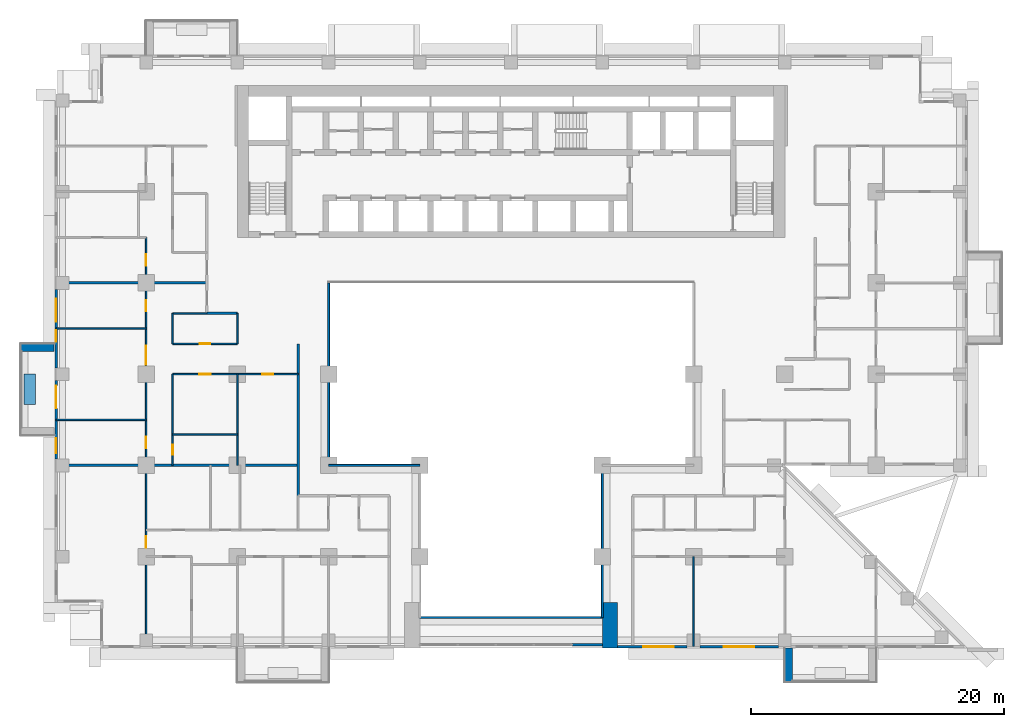
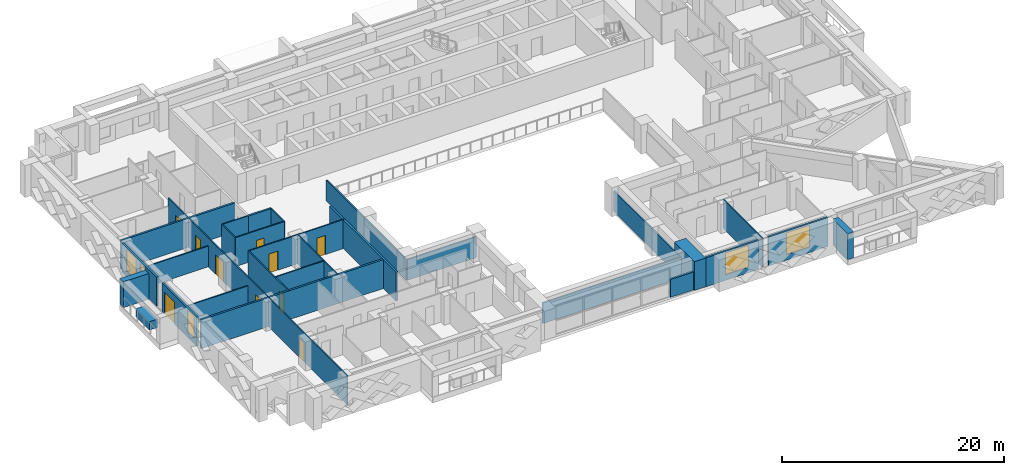
# One storey, part 7 of 16: 29 walls, 10 doors, 5 windows, 15 openings.
"""IFC4 building model written with IfcOpenShell, lengths in metres."""

import ifcopenshell
import ifcopenshell.guid

model = None  # the IFC model being written
_history = None  # IfcOwnerHistory: only IFC2X3 demands one
_inside = {}  # id of a spatial element -> (the spatial element, [elements in it])
_under = {}  # id of a project, library or spatial element -> (it, [spatial elements below it])
_declared = {}  # id of a project -> (the project, [libraries it declares])
_typed = {}  # id of a type object -> (the type object, [elements of that type])
_made_of = {}  # id of a material, layer set ... -> (it, [elements and type objects made of it])


def new_model(schema):
    """Start an empty IFC model of exactly this schema.

    Asked for "IFC4X3", IfcOpenShell would pick the latest addendum, in which some entities
    have other attributes; the version numbers below select the first issue.
    IFC2X3 requires an IfcOwnerHistory on every rooted entity: one is made here for all.
    """
    global model, _history
    if schema == "IFC4X3":
        model = ifcopenshell.file(schema_version=(4, 3, 0, 0))
    else:
        model = ifcopenshell.file(schema=schema)
    _inside.clear()
    _under.clear()
    _declared.clear()
    _typed.clear()
    _made_of.clear()
    _history = None
    if model.schema == "IFC2X3":
        org = make("IfcOrganization", Name="unknown")
        user = make(
            "IfcPersonAndOrganization",
            ThePerson=make("IfcPerson", FamilyName="unknown"),
            TheOrganization=org,
        )
        app = make(
            "IfcApplication",
            ApplicationDeveloper=org,
            Version="unknown",
            ApplicationFullName="unknown",
            ApplicationIdentifier="unknown",
        )
        _history = make(
            "IfcOwnerHistory",
            OwningUser=user,
            OwningApplication=app,
            ChangeAction="ADDED",
            CreationDate=0,
        )
    return model


def make(cls, **values):
    """One entity of the class cls with the attributes given. An attribute that is None is left unset."""
    return model.create_entity(
        cls, **{name: value for name, value in values.items() if value is not None}
    )


def rooted(cls, **values):
    """An entity with a GlobalId (a new one), such as an element, a storey or a relation."""
    return make(cls, GlobalId=ifcopenshell.guid.new(), OwnerHistory=_history, **values)


def si_unit(unit_type, name, prefix=None):
    """IfcSIUnit, for example si_unit("LENGTHUNIT", "METRE", prefix="MILLI")."""
    return make("IfcSIUnit", UnitType=unit_type, Prefix=prefix, Name=name)


def assignment(units):
    """IfcUnitAssignment: the units of a project."""
    return None if units is None else make("IfcUnitAssignment", Units=units)


def point(xyz):
    """IfcCartesianPoint."""
    return None if xyz is None else make("IfcCartesianPoint", Coordinates=xyz)


def direction(xyz):
    """IfcDirection."""
    return None if xyz is None else make("IfcDirection", DirectionRatios=xyz)


def frame(location, z_axis=None, x_axis=None):
    """IfcAxis2Placement3D, a coordinate frame: its origin and axes. An axis left out is left unset."""
    return make(
        "IfcAxis2Placement3D",
        Location=point(location),
        Axis=direction(z_axis),
        RefDirection=direction(x_axis),
    )


def frame_2d(location, x_axis=None):
    """IfcAxis2Placement2D, a coordinate frame in the plane: its origin and x axis."""
    return make(
        "IfcAxis2Placement2D", Location=point(location), RefDirection=direction(x_axis)
    )


def origin():
    """The frame at (0, 0, 0) with its axes left unset."""
    return frame((0.0, 0.0, 0.0))


def place(relative_to, where):
    """IfcLocalPlacement: puts the frame where relative to a parent placement (None: the world)."""
    return make(
        "IfcLocalPlacement", PlacementRelTo=relative_to, RelativePlacement=where
    )


def context(
    kind, dimensions, precision=None, world=None, true_north=None, identifier=None
):
    """IfcGeometricRepresentationContext, for example the 3D "Model" context."""
    return make(
        "IfcGeometricRepresentationContext",
        ContextIdentifier=identifier,
        ContextType=kind,
        CoordinateSpaceDimension=dimensions,
        Precision=precision,
        WorldCoordinateSystem=world,
        TrueNorth=true_north,
    )


def subcontext(parent, identifier, kind, view, scale=None):
    """IfcGeometricRepresentationSubContext, for example "Body" below "Model"."""
    return make(
        "IfcGeometricRepresentationSubContext",
        ContextIdentifier=identifier,
        ContextType=kind,
        ParentContext=parent,
        TargetScale=scale,
        TargetView=view,
    )


def project(units=None, contexts=None):
    """IfcProject with its units and contexts."""
    return rooted(
        "IfcProject",
        Name="project",
        RepresentationContexts=contexts,
        UnitsInContext=assignment(units),
    )


def spatial(cls, under=None, at=None, **own):
    """A site, building, storey or space (cls), placed at a placement, below another one or the project."""
    s = rooted(cls, ObjectPlacement=at, **own)
    if under is not None:
        _under.setdefault(under.id(), (under, []))[1].append(s)
    return s


def profile(cls, at=None, kind="AREA", **sizes):
    """A parametric profile (cls). Its sizes go by their IFC names, for example OverallWidth=200.0."""
    return make(cls, ProfileType=kind, Position=at, **sizes)


def rectangle(**sizes):
    """IfcRectangleProfileDef."""
    return profile("IfcRectangleProfileDef", **sizes)


def extrude(swept, where, along, depth):
    """IfcExtrudedAreaSolid: the profile swept, set in the frame where, extruded along a direction by depth."""
    return make(
        "IfcExtrudedAreaSolid",
        SweptArea=swept,
        Position=where,
        ExtrudedDirection=direction(along),
        Depth=depth,
    )


def shape(context_of_items, identifier, shape_type, items):
    """IfcShapeRepresentation: the items that make up one representation, for example the "Body"."""
    return make(
        "IfcShapeRepresentation",
        ContextOfItems=context_of_items,
        RepresentationIdentifier=identifier,
        RepresentationType=shape_type,
        Items=items,
    )


def material(Name=None, Category=None):
    """IfcMaterial."""
    return make("IfcMaterial", Name=Name, Category=Category)


def layer(
    of_material, thickness, ventilated=None, Name=None, Category=None, Priority=None
):
    """IfcMaterialLayer: one layer of a wall or slab, of a material (None: an air gap)."""
    return make(
        "IfcMaterialLayer",
        Material=of_material,
        LayerThickness=thickness,
        IsVentilated=ventilated,
        Name=Name,
        Category=Category,
        Priority=Priority,
    )


def layer_set(layers, Name=None):
    """IfcMaterialLayerSet."""
    return make("IfcMaterialLayerSet", MaterialLayers=layers, LayerSetName=Name)


def made_of(thing, what):
    """Note that an element or type object is made of a material, layer set ...; save() writes the relation."""
    if what is not None:
        _made_of.setdefault(what.id(), (what, []))[1].append(thing)
    return thing


def type_object(cls, material=None, **own):
    """A type object (cls), such as IfcWallType, which elements share."""
    return made_of(rooted(cls, **own), material)


def element(
    cls,
    number,
    at=None,
    inside=None,
    cuts=None,
    type_object=None,
    material=None,
    context=None,
    identifier="Body",
    shape_type=None,
    held_by="IfcProductDefinitionShape",
    body=None,
    shapes=None,
    **own,
):
    """One element of the class cls, such as IfcWall. Its Tag is "e" and its number.

    at: its placement. inside: the storey or other place that contains it. cuts: it is an
    opening in that element (IfcRelVoidsElement). A single representation is given by context,
    identifier, shape_type and body (its items); several are given by shapes. held_by: the class
    of the entity that holds the representations. save() writes the other relations.
    """
    e = rooted(cls, Tag="e%d" % number, ObjectPlacement=at, **own)
    if body is not None:
        shapes = [shape(context, identifier, shape_type, body)]
    if shapes is not None:
        e.Representation = make(held_by, Representations=shapes)
    if inside is not None:
        _inside.setdefault(inside.id(), (inside, []))[1].append(e)
    if cuts is not None:
        rooted(
            "IfcRelVoidsElement", RelatingBuildingElement=cuts, RelatedOpeningElement=e
        )
    if type_object is not None:
        _typed.setdefault(type_object.id(), (type_object, []))[1].append(e)
    return made_of(e, material)


def fill(opening, filler):
    """IfcRelFillsElement: the door or window that sits in an opening."""
    return rooted(
        "IfcRelFillsElement",
        RelatingOpeningElement=opening,
        RelatedBuildingElement=filler,
    )


def aggregate(whole, parts):
    """IfcRelAggregates: a whole, such as a stair, and the parts it consists of."""
    return rooted("IfcRelAggregates", RelatingObject=whole, RelatedObjects=parts)


def save(model, path):
    """Write the relations noted so far, then the file.

    IfcRelAggregates (storeys below a building ...), IfcRelContainedInSpatialStructure (elements
    in a storey), IfcRelDefinesByType, IfcRelAssociatesMaterial and IfcRelDeclares: one each for
    every whole, place, type object, material and project.
    """
    for whole, parts in _under.values():
        aggregate(whole, parts)
    for where, things in _inside.values():
        rooted(
            "IfcRelContainedInSpatialStructure",
            RelatedElements=things,
            RelatingStructure=where,
        )
    for kind, things in _typed.values():
        rooted("IfcRelDefinesByType", RelatedObjects=things, RelatingType=kind)
    for what, things in _made_of.values():
        rooted("IfcRelAssociatesMaterial", RelatedObjects=things, RelatingMaterial=what)
    for by, libraries in _declared.values():
        rooted("IfcRelDeclares", RelatingContext=by, RelatedDefinitions=libraries)
    model.write(path)


model = new_model("IFC4")

# Units and contexts
model_context = context("Model", 3, precision=1e-05, world=origin(), true_north=direction((0.0, 1.0)))
body_context = subcontext(model_context, "Body", "Model", "MODEL_VIEW")
ifc_project = project(units=[si_unit("LENGTHUNIT", "METRE"), si_unit("AREAUNIT", "SQUARE_METRE"), si_unit("VOLUMEUNIT", "CUBIC_METRE"), si_unit("PLANEANGLEUNIT", "RADIAN"), si_unit("MASSUNIT", "GRAM", prefix="KILO")], contexts=[model_context])

# Site, building, storey
site_placement = place(None, origin())
site = spatial("IfcSite", under=ifc_project, at=site_placement, CompositionType="ELEMENT")
building_placement = place(site_placement, origin())
building = spatial("IfcBuilding", under=site, at=building_placement, Name="Saffron Iwan Residences", CompositionType="ELEMENT")
storey_placement = place(building_placement, frame((0.0, 0.0, 83.0)))
storey = spatial("IfcBuildingStorey", under=building, at=storey_placement, Name="L21", CompositionType="ELEMENT", Elevation=83.0)

# Walls
ifc_material_1 = material(Name="Fire-rated glazing", Category="glass")
ifc_layer_1 = layer(ifc_material_1, 0.14990234375)
ifc_layer_set_1 = layer_set([ifc_layer_1], Name="Fire-rated glazing")
wall_type_1 = type_object("IfcWallType", Name="Atrium glazed screen 150", PredefinedType="SOLIDWALL", material=ifc_layer_set_1)
wall_1_placement = place(storey_placement, frame((43.199951171875, 36.0, 0.0), z_axis=(0.0, 0.0, 1.0), x_axis=(1.0, 0.0, 0.0)))
element("IfcWall", 1, at=wall_1_placement, inside=storey, type_object=wall_type_1, Name="W-L21-SCREEN-h36-43.2", PredefinedType="SOLIDWALL", context=body_context, shape_type="SweptSolid", body=[
    extrude(rectangle(XDim=14.400146484375, YDim=0.14990234375, at=frame_2d((7.2001953125, 0.0))), origin(), (0.0, 0.0, 1.0), 2.280029296875),
])
wall_2_placement = place(storey_placement, frame((36.0, 48.0, 0.0), z_axis=(0.0, 0.0, 1.0), x_axis=(1.0, 0.0, 0.0)))
element("IfcWall", 2, at=wall_2_placement, inside=storey, type_object=wall_type_1, Name="W-L21-SCREEN-h48-36", PredefinedType="SOLIDWALL", context=body_context, shape_type="SweptSolid", body=[
    extrude(rectangle(XDim=7.199951171875, YDim=0.14990234375, at=frame_2d((3.60009765625, 0.0))), origin(), (0.0, 0.0, 1.0), 2.280029296875),
])
wall_3_placement = place(storey_placement, frame((36.0, 48.0, 0.0), z_axis=(0.0, 0.0, 1.0), x_axis=(0.0, 1.0, 0.0)))
element("IfcWall", 3, at=wall_3_placement, inside=storey, type_object=wall_type_1, Name="W-L21-SCREEN-v36-48", PredefinedType="SOLIDWALL", context=body_context, shape_type="SweptSolid", body=[
    extrude(rectangle(XDim=14.39990234375, YDim=0.14990234375, at=frame_2d((7.199951171875, 0.0))), origin(), (0.0, 0.0, 1.0), 2.280029296875),
])
wall_4_placement = place(storey_placement, frame((57.60009765625, 36.0, 0.0), z_axis=(0.0, 0.0, 1.0), x_axis=(0.0, 1.0, 0.0)))
element("IfcWall", 4, at=wall_4_placement, inside=storey, type_object=wall_type_1, Name="W-L21-SCREEN-v57.6-36", PredefinedType="SOLIDWALL", context=body_context, shape_type="SweptSolid", body=[
    extrude(rectangle(XDim=12.0, YDim=0.14990234375, at=frame_2d((6.0, 0.0))), origin(), (0.0, 0.0, 1.0), 2.280029296875),
])
ifc_material_2 = material(Name="Concrete C50/60 white painted", Category="concrete")
ifc_layer_2 = layer(ifc_material_2, 0.60009765625)
ifc_layer_set_2 = layer_set([ifc_layer_2], Name="Concrete C50/60 white painted")
wall_type_2 = type_object("IfcWallType", Name="BALCONY FIN 600", PredefinedType="SOLIDWALL", material=ifc_layer_set_2)
wall_5_placement = place(storey_placement, frame((14.35009765625, 57.300048828125, 0.0), z_axis=(0.0, 0.0, 1.0), x_axis=(-1.0, 0.0, 0.0)))
element("IfcWall", 5, at=wall_5_placement, inside=storey, type_object=wall_type_2, Name="Balcony fin L21 F8-1a", PredefinedType="SOLIDWALL", context=body_context, shape_type="SweptSolid", body=[
    extrude(rectangle(XDim=2.650146484375, YDim=0.60009765625, at=frame_2d((1.3251953125, 0.0))), origin(), (0.0, 0.0, 1.0), 2.85009765625),
])
wall_6_placement = place(storey_placement, frame((72.300048828125, 33.60009765625, 0.0), z_axis=(0.0, 0.0, 1.0), x_axis=(0.0, -1.0, 0.0)))
element("IfcWall", 6, at=wall_6_placement, inside=storey, type_object=wall_type_2, Name="Balcony fin L21 11-1a", PredefinedType="SOLIDWALL", context=body_context, shape_type="SweptSolid", body=[
    extrude(rectangle(XDim=2.7001953125, YDim=0.60009765625, at=frame_2d((1.35009765625, 0.0))), origin(), (0.0, 0.0, 1.0), 2.85009765625),
])
ifc_material_3 = material(Name="Concrete C35/45 white painted", Category="concrete")
ifc_layer_3 = layer(ifc_material_3, 0.14990234375)
ifc_layer_set_3 = layer_set([ifc_layer_3], Name="Concrete C35/45 white painted")
wall_type_3 = type_object("IfcWallType", Name="BALCONY PLANTER", PredefinedType="SOLIDWALL", material=ifc_layer_set_3)
wall_7_placement = place(storey_placement, frame((12.425048828125, 55.199951171875, 0.0), z_axis=(0.0, 0.0, 1.0), x_axis=(0.0, -1.0, 0.0)))
element("IfcWall", 7, at=wall_7_placement, inside=storey, type_object=wall_type_3, Name="PLANTER L21 F8-1", PredefinedType="SOLIDWALL", context=body_context, shape_type="SweptSolid", body=[
    extrude(rectangle(XDim=2.39990234375, YDim=0.89990234375, at=frame_2d((1.199951171875, 0.0))), origin(), (0.0, 0.0, 1.0), 0.89990234375),
])

# Wall, openings, windows
ifc_material_4 = material(Name="Concrete C40/50", Category="concrete")
ifc_layer_4 = layer(ifc_material_4, 0.199951171875)
ifc_layer_set_4 = layer_set([ifc_layer_4], Name="Concrete C40/50")
wall_type_4 = type_object("IfcWallType", Name="EXTERNAL WALL 200", PredefinedType="SOLIDWALL", material=ifc_layer_set_4)
wall_8_placement = place(storey_placement, frame((14.5, 61.89990234375, 0.0), z_axis=(0.0, 0.0, 1.0), x_axis=(0.0, -1.0, 0.0)))
wall_8 = element("IfcWall", 8, at=wall_8_placement, inside=storey, type_object=wall_type_4, Name="External wall L21 F8.2", PredefinedType="SOLIDWALL", context=body_context, shape_type="SweptSolid", body=[
    extrude(rectangle(XDim=6.199951171875, YDim=0.199951171875, at=frame_2d((3.10009765625, 0.0))), origin(), (0.0, 0.0, 1.0), 3.179931640625),
])
opening_1_placement = place(wall_8_placement, frame((3.25, 0.0, 0.60009765625)))
opening_1 = element("IfcOpeningElement", 9, at=opening_1_placement, cuts=wall_8, Name="Opening W10", PredefinedType="OPENING", context=body_context, shape_type="SweptSolid", body=[
    extrude(rectangle(XDim=0.89990234375, YDim=2.39990234375, at=frame_2d((0.449951171875, 1.199951171875))), frame((0.0, 0.10986328125, 0.0), z_axis=(0.0, -1.0, 0.0), x_axis=(1.0, 0.0, 0.0)), (0.0, 0.0, 1.0), 0.219970703125),
])
opening_2_placement = place(wall_8_placement, frame((0.75, 0.0, 0.60009765625)))
opening_2 = element("IfcOpeningElement", 10, at=opening_2_placement, cuts=wall_8, Name="Opening W8", PredefinedType="OPENING", context=body_context, shape_type="SweptSolid", body=[
    extrude(rectangle(XDim=1.800048828125, YDim=2.39990234375, at=frame_2d((0.89990234375, 1.199951171875))), frame((0.0, 0.10986328125, 0.0), z_axis=(0.0, -1.0, 0.0), x_axis=(1.0, 0.0, 0.0)), (0.0, 0.0, 1.0), 0.219970703125),
])
ifc_material_5 = material(Name="Clear glass, laminated double glazed", Category="glass")
window_type_1 = type_object("IfcWindowType", Name="WINDOW 1800 x 2400", PartitioningType="DOUBLE_PANEL_VERTICAL", PredefinedType="WINDOW", material=ifc_material_5)
window_1_placement = place(opening_2_placement, origin())
window_1 = element("IfcWindow", 11, at=window_1_placement, inside=storey, type_object=window_type_1, Name="Window L21 F8.1", OverallHeight=2.39990234375, OverallWidth=1.800048828125, PartitioningType="DOUBLE_PANEL_VERTICAL", PredefinedType="WINDOW", context=body_context, shape_type="SweptSolid", body=[
    extrude(rectangle(XDim=1.800048828125, YDim=2.39990234375, at=frame_2d((0.89990234375, 1.199951171875))), frame((0.0, 0.030029296875, 0.0), z_axis=(0.0, -1.0, 0.0), x_axis=(1.0, 0.0, 0.0)), (0.0, 0.0, 1.0), 0.06005859375),
])
fill(opening_2, window_1)
window_type_2 = type_object("IfcWindowType", Name="WINDOW 900 x 2400", PartitioningType="SINGLE_PANEL", PredefinedType="WINDOW", material=ifc_material_5)
window_2_placement = place(opening_1_placement, origin())
window_2 = element("IfcWindow", 12, at=window_2_placement, inside=storey, type_object=window_type_2, Name="Window L21 F8.0", OverallHeight=2.39990234375, OverallWidth=0.89990234375, PartitioningType="SINGLE_PANEL", PredefinedType="WINDOW", context=body_context, shape_type="SweptSolid", body=[
    extrude(rectangle(XDim=0.89990234375, YDim=2.39990234375, at=frame_2d((0.449951171875, 1.199951171875))), frame((0.0, 0.030029296875, 0.0), z_axis=(0.0, -1.0, 0.0), x_axis=(1.0, 0.0, 0.0)), (0.0, 0.0, 1.0), 0.06005859375),
])
fill(opening_1, window_2)

# Wall, openings, door, window
wall_9_placement = place(storey_placement, frame((14.5, 54.699951171875, 0.0), z_axis=(0.0, 0.0, 1.0), x_axis=(0.0, -1.0, 0.0)))
wall_9 = element("IfcWall", 13, at=wall_9_placement, inside=storey, type_object=wall_type_4, Name="External wall L21 F8.3", PredefinedType="SOLIDWALL", context=body_context, shape_type="SweptSolid", body=[
    extrude(rectangle(XDim=6.199951171875, YDim=0.199951171875, at=frame_2d((3.10009765625, 0.0))), origin(), (0.0, 0.0, 1.0), 3.179931640625),
])
opening_3_placement = place(wall_9_placement, frame((0.39990234375, 0.0, 0.0)))
opening_3 = element("IfcOpeningElement", 14, at=opening_3_placement, cuts=wall_9, Name="Opening BD1", PredefinedType="OPENING", context=body_context, shape_type="SweptSolid", body=[
    extrude(rectangle(XDim=1.800048828125, YDim=2.39990234375, at=frame_2d((0.89990234375, 1.199951171875))), frame((0.0, 0.10986328125, 0.0), z_axis=(0.0, -1.0, 0.0), x_axis=(1.0, 0.0, 0.0)), (0.0, 0.0, 1.0), 0.219970703125),
])
opening_4_placement = place(wall_9_placement, frame((4.550048828125, 0.0, 0.60009765625)))
opening_4 = element("IfcOpeningElement", 15, at=opening_4_placement, cuts=wall_9, Name="Opening W3", PredefinedType="OPENING", context=body_context, shape_type="SweptSolid", body=[
    extrude(rectangle(XDim=1.199951171875, YDim=2.39990234375, at=frame_2d((0.60009765625, 1.199951171875))), frame((0.0, 0.10986328125, 0.0), z_axis=(0.0, -1.0, 0.0), x_axis=(1.0, 0.0, 0.0)), (0.0, 0.0, 1.0), 0.219970703125),
])
door_type_1 = type_object("IfcDoorType", Name="BALCONY DOOR 1800 x 2400", OperationType="DOUBLE_DOOR_SLIDING", PredefinedType="DOOR", material=ifc_material_5)
door_1_placement = place(opening_3_placement, origin())
door_1 = element("IfcDoor", 16, at=door_1_placement, inside=storey, type_object=door_type_1, Name="Balcony door L21 F8.0", OperationType="DOUBLE_DOOR_SLIDING", OverallHeight=2.39990234375, OverallWidth=1.800048828125, PredefinedType="DOOR", context=body_context, shape_type="SweptSolid", body=[
    extrude(rectangle(XDim=1.800048828125, YDim=2.39990234375, at=frame_2d((0.89990234375, 1.199951171875))), frame((0.0, 0.02490234375, 0.0), z_axis=(0.0, -1.0, 0.0), x_axis=(1.0, 0.0, 0.0)), (0.0, 0.0, 1.0), 0.050048828125),
])
fill(opening_3, door_1)
window_type_3 = type_object("IfcWindowType", Name="WINDOW 1200 x 2400", PartitioningType="SINGLE_PANEL", PredefinedType="WINDOW", material=ifc_material_5)
window_3_placement = place(opening_4_placement, origin())
window_3 = element("IfcWindow", 17, at=window_3_placement, inside=storey, type_object=window_type_3, Name="Window L21 F8.1", OverallHeight=2.39990234375, OverallWidth=1.199951171875, PartitioningType="SINGLE_PANEL", PredefinedType="WINDOW", context=body_context, shape_type="SweptSolid", body=[
    extrude(rectangle(XDim=1.199951171875, YDim=2.39990234375, at=frame_2d((0.60009765625, 1.199951171875))), frame((0.0, 0.030029296875, 0.0), z_axis=(0.0, -1.0, 0.0), x_axis=(1.0, 0.0, 0.0)), (0.0, 0.0, 1.0), 0.06005859375),
])
fill(opening_4, window_3)

# Wall, opening, window
wall_10_placement = place(storey_placement, frame((58.800048828125, 33.699951171875, 0.0), z_axis=(0.0, 0.0, 1.0), x_axis=(1.0, 0.0, 0.0)))
wall_10 = element("IfcWall", 18, at=wall_10_placement, inside=storey, type_object=wall_type_4, Name="External wall L21 F11.4", PredefinedType="SOLIDWALL", context=body_context, shape_type="SweptSolid", body=[
    extrude(rectangle(XDim=5.5, YDim=0.199951171875, at=frame_2d((2.75, 0.0))), origin(), (0.0, 0.0, 1.0), 3.179931640625),
])
opening_5_placement = place(wall_10_placement, frame((2.050048828125, 0.0, 0.60009765625)))
opening_5 = element("IfcOpeningElement", 19, at=opening_5_placement, cuts=wall_10, Name="Opening W1", PredefinedType="OPENING", context=body_context, shape_type="SweptSolid", body=[
    extrude(rectangle(XDim=2.39990234375, YDim=2.39990234375, at=frame_2d((1.199951171875, 1.199951171875))), frame((0.0, 0.10986328125, 0.0), z_axis=(0.0, -1.0, 0.0), x_axis=(1.0, 0.0, 0.0)), (0.0, 0.0, 1.0), 0.219970703125),
])
window_type_4 = type_object("IfcWindowType", Name="WINDOW 2400 x 2400", PartitioningType="DOUBLE_PANEL_VERTICAL", PredefinedType="WINDOW", material=ifc_material_5)
window_4_placement = place(opening_5_placement, origin())
window_4 = element("IfcWindow", 20, at=window_4_placement, inside=storey, type_object=window_type_4, Name="Window L21 F11.0", OverallHeight=2.39990234375, OverallWidth=2.39990234375, PartitioningType="DOUBLE_PANEL_VERTICAL", PredefinedType="WINDOW", context=body_context, shape_type="SweptSolid", body=[
    extrude(rectangle(XDim=2.39990234375, YDim=2.39990234375, at=frame_2d((1.199951171875, 1.199951171875))), frame((0.0, 0.030029296875, 0.0), z_axis=(0.0, -1.0, 0.0), x_axis=(1.0, 0.0, 0.0)), (0.0, 0.0, 1.0), 0.06005859375),
])
fill(opening_5, window_4)

wall_11_placement = place(storey_placement, frame((65.300048828125, 33.699951171875, 0.0), z_axis=(0.0, 0.0, 1.0), x_axis=(1.0, 0.0, 0.0)))
wall_11 = element("IfcWall", 21, at=wall_11_placement, inside=storey, type_object=wall_type_4, Name="External wall L21 F11.5", PredefinedType="SOLIDWALL", context=body_context, shape_type="SweptSolid", body=[
    extrude(rectangle(XDim=6.199951171875, YDim=0.199951171875, at=frame_2d((3.10009765625, 0.0))), origin(), (0.0, 0.0, 1.0), 3.179931640625),
])
opening_6_placement = place(wall_11_placement, frame((1.89990234375, 0.0, 0.60009765625)))
opening_6 = element("IfcOpeningElement", 22, at=opening_6_placement, cuts=wall_11, Name="Opening W1", PredefinedType="OPENING", context=body_context, shape_type="SweptSolid", body=[
    extrude(rectangle(XDim=2.39990234375, YDim=2.39990234375, at=frame_2d((1.199951171875, 1.199951171875))), frame((0.0, 0.10986328125, 0.0), z_axis=(0.0, -1.0, 0.0), x_axis=(1.0, 0.0, 0.0)), (0.0, 0.0, 1.0), 0.219970703125),
])
window_5_placement = place(opening_6_placement, origin())
window_5 = element("IfcWindow", 23, at=window_5_placement, inside=storey, type_object=window_type_4, Name="Window L21 F11.0", OverallHeight=2.39990234375, OverallWidth=2.39990234375, PartitioningType="DOUBLE_PANEL_VERTICAL", PredefinedType="WINDOW", context=body_context, shape_type="SweptSolid", body=[
    extrude(rectangle(XDim=2.39990234375, YDim=2.39990234375, at=frame_2d((1.199951171875, 1.199951171875))), frame((0.0, 0.030029296875, 0.0), z_axis=(0.0, -1.0, 0.0), x_axis=(1.0, 0.0, 0.0)), (0.0, 0.0, 1.0), 0.06005859375),
])
fill(opening_6, window_5)

# Walls
wall_12_placement = place(storey_placement, frame((55.199951171875, 33.85009765625, 0.0), z_axis=(0.0, 0.0, 1.0), x_axis=(1.0, 0.0, 0.0)))
element("IfcWall", 24, at=wall_12_placement, inside=storey, type_object=wall_type_4, Name="External wall infill CWB-L21-0", PredefinedType="SOLIDWALL", context=body_context, shape_type="SweptSolid", body=[
    extrude(rectangle(XDim=2.400146484375, YDim=0.199951171875, at=frame_2d((1.2001953125, 0.0))), origin(), (0.0, 0.0, 1.0), 1.97998046875),
])
ifc_material_6 = material(Name="Fire-rated gypsum board wall")
ifc_layer_5 = layer(ifc_material_6, 0.199951171875)
ifc_layer_set_5 = layer_set([ifc_layer_5], Name="Fire-rated gypsum board wall")
wall_type_5 = type_object("IfcWallType", Name="Flat demising wall 200", PredefinedType="SOLIDWALL", material=ifc_layer_set_5)
wall_13_placement = place(storey_placement, frame((14.52490234375, 48.0, 0.0), z_axis=(0.0, 0.0, 1.0), x_axis=(1.0, 0.0, 0.0)))
element("IfcWall", 25, at=wall_13_placement, inside=storey, type_object=wall_type_5, Name="W-L21-DEMISE-h48-14.525", PredefinedType="SOLIDWALL", context=body_context, shape_type="SweptSolid", body=[
    extrude(rectangle(XDim=19.0751953125, YDim=0.199951171875, at=frame_2d((9.53759765625, 0.0))), origin(), (0.0, 0.0, 1.0), 3.179931640625),
])
wall_14_placement = place(storey_placement, frame((14.52490234375, 62.39990234375, 0.0), z_axis=(0.0, 0.0, 1.0), x_axis=(1.0, 0.0, 0.0)))
element("IfcWall", 26, at=wall_14_placement, inside=storey, type_object=wall_type_5, Name="W-L21-DEMISE-h62.4-14.525", PredefinedType="SOLIDWALL", context=body_context, shape_type="SweptSolid", body=[
    extrude(rectangle(XDim=11.875, YDim=0.199951171875, at=frame_2d((5.9375, 0.0))), origin(), (0.0, 0.0, 1.0), 3.179931640625),
])
ifc_material_7 = material(Name="Gypsum board partition")
ifc_layer_6 = layer(ifc_material_7, 0.1201171875)
ifc_layer_set_6 = layer_set([ifc_layer_6], Name="Gypsum board partition")
wall_type_6 = type_object("IfcWallType", Name="Flat partition 120", PredefinedType="PARTITIONING", material=ifc_layer_set_6)
wall_15_placement = place(storey_placement, frame((23.699951171875, 50.449951171875, 0.0), z_axis=(0.0, 0.0, 1.0), x_axis=(1.0, 0.0, 0.0)))
element("IfcWall", 27, at=wall_15_placement, inside=storey, type_object=wall_type_6, Name="W-L21-PART-h50.45-23.7", PredefinedType="PARTITIONING", context=body_context, shape_type="SweptSolid", body=[
    extrude(rectangle(XDim=5.10009765625, YDim=0.1201171875, at=frame_2d((2.550048828125, 0.0))), origin(), (0.0, 0.0, 1.0), 3.179931640625),
])
wall_16_placement = place(storey_placement, frame((14.52490234375, 51.60009765625, 0.0), z_axis=(0.0, 0.0, 1.0), x_axis=(1.0, 0.0, 0.0)))
element("IfcWall", 28, at=wall_16_placement, inside=storey, type_object=wall_type_6, Name="W-L21-PART-h51.6-14.525", PredefinedType="PARTITIONING", context=body_context, shape_type="SweptSolid", body=[
    extrude(rectangle(XDim=7.0751953125, YDim=0.1201171875, at=frame_2d((3.53759765625, 0.0))), origin(), (0.0, 0.0, 1.0), 2.280029296875),
])

# Wall, openings, doors
wall_17_placement = place(storey_placement, frame((23.699951171875, 55.199951171875, 0.0), z_axis=(0.0, 0.0, 1.0), x_axis=(1.0, 0.0, 0.0)))
wall_17 = element("IfcWall", 29, at=wall_17_placement, inside=storey, type_object=wall_type_6, Name="W-L21-PART-h55.2-23.7", PredefinedType="PARTITIONING", context=body_context, shape_type="SweptSolid", body=[
    extrude(rectangle(XDim=9.900146484375, YDim=0.1201171875, at=frame_2d((4.9501953125, 0.0))), origin(), (0.0, 0.0, 1.0), 3.179931640625),
])
opening_7_placement = place(wall_17_placement, frame((2.10009765625, 0.0, 0.0)))
opening_7 = element("IfcOpeningElement", 30, at=opening_7_placement, cuts=wall_17, Name="Opening FD2", PredefinedType="OPENING", context=body_context, shape_type="SweptSolid", body=[
    extrude(rectangle(XDim=0.89990234375, YDim=2.10009765625, at=frame_2d((0.449951171875, 1.050048828125))), frame((0.0, 0.070068359375, 0.0), z_axis=(0.0, -1.0, 0.0), x_axis=(1.0, 0.0, 0.0)), (0.0, 0.0, 1.0), 0.14013671875),
])
opening_8_placement = place(wall_17_placement, frame((7.050048828125, 0.0, 0.0)))
opening_8 = element("IfcOpeningElement", 31, at=opening_8_placement, cuts=wall_17, Name="Opening FD2", PredefinedType="OPENING", context=body_context, shape_type="SweptSolid", body=[
    extrude(rectangle(XDim=0.89990234375, YDim=2.10009765625, at=frame_2d((0.449951171875, 1.050048828125))), frame((0.0, 0.070068359375, 0.0), z_axis=(0.0, -1.0, 0.0), x_axis=(1.0, 0.0, 0.0)), (0.0, 0.0, 1.0), 0.14013671875),
])
ifc_material_8 = material(Name="Timber door", Category="wood")
door_type_2 = type_object("IfcDoorType", Name="Flat door 900", OperationType="NOTDEFINED", PredefinedType="DOOR", material=ifc_material_8)
door_2_placement = place(opening_7_placement, origin())
door_2 = element("IfcDoor", 32, at=door_2_placement, inside=storey, type_object=door_type_2, Name="Door L21-018", OperationType="SINGLE_SWING_LEFT", OverallHeight=2.10009765625, OverallWidth=0.89990234375, PredefinedType="DOOR", context=body_context, shape_type="SweptSolid", body=[
    extrude(rectangle(XDim=0.89990234375, YDim=2.10009765625, at=frame_2d((0.449951171875, 1.050048828125))), frame((0.0, 0.02490234375, 0.0), z_axis=(0.0, -1.0, 0.0), x_axis=(1.0, 0.0, 0.0)), (0.0, 0.0, 1.0), 0.050048828125),
])
fill(opening_7, door_2)
door_3_placement = place(opening_8_placement, origin())
door_3 = element("IfcDoor", 33, at=door_3_placement, inside=storey, type_object=door_type_2, Name="Door L21-020", OperationType="SINGLE_SWING_LEFT", OverallHeight=2.10009765625, OverallWidth=0.89990234375, PredefinedType="DOOR", context=body_context, shape_type="SweptSolid", body=[
    extrude(rectangle(XDim=0.89990234375, YDim=2.10009765625, at=frame_2d((0.449951171875, 1.050048828125))), frame((0.0, 0.02490234375, 0.0), z_axis=(0.0, -1.0, 0.0), x_axis=(1.0, 0.0, 0.0)), (0.0, 0.0, 1.0), 0.050048828125),
])
fill(opening_8, door_3)

# Wall, opening, door
wall_18_placement = place(storey_placement, frame((23.699951171875, 57.60009765625, 0.0), z_axis=(0.0, 0.0, 1.0), x_axis=(1.0, 0.0, 0.0)))
wall_18 = element("IfcWall", 34, at=wall_18_placement, inside=storey, type_object=wall_type_6, Name="W-L21-PART-h57.6-23.7", PredefinedType="PARTITIONING", context=body_context, shape_type="SweptSolid", body=[
    extrude(rectangle(XDim=5.10009765625, YDim=0.1201171875, at=frame_2d((2.550048828125, 0.0))), origin(), (0.0, 0.0, 1.0), 3.179931640625),
])
opening_9_placement = place(wall_18_placement, frame((2.14990234375, 0.0, 0.0)))
opening_9 = element("IfcOpeningElement", 35, at=opening_9_placement, cuts=wall_18, Name="Opening FD3", PredefinedType="OPENING", context=body_context, shape_type="SweptSolid", body=[
    extrude(rectangle(XDim=0.800048828125, YDim=2.10009765625, at=frame_2d((0.39990234375, 1.050048828125))), frame((0.0, 0.070068359375, 0.0), z_axis=(0.0, -1.0, 0.0), x_axis=(1.0, 0.0, 0.0)), (0.0, 0.0, 1.0), 0.14013671875),
])
door_type_3 = type_object("IfcDoorType", Name="Bathroom door 800", OperationType="NOTDEFINED", PredefinedType="DOOR", material=ifc_material_8)
door_4_placement = place(opening_9_placement, origin())
door_4 = element("IfcDoor", 36, at=door_4_placement, inside=storey, type_object=door_type_3, Name="Door L21-019", OperationType="SINGLE_SWING_RIGHT", OverallHeight=2.10009765625, OverallWidth=0.800048828125, PredefinedType="DOOR", context=body_context, shape_type="SweptSolid", body=[
    extrude(rectangle(XDim=0.800048828125, YDim=2.10009765625, at=frame_2d((0.39990234375, 1.050048828125))), frame((0.0, 0.02490234375, 0.0), z_axis=(0.0, -1.0, 0.0), x_axis=(1.0, 0.0, 0.0)), (0.0, 0.0, 1.0), 0.050048828125),
])
fill(opening_9, door_4)

# Walls
wall_19_placement = place(storey_placement, frame((14.52490234375, 58.800048828125, 0.0), z_axis=(0.0, 0.0, 1.0), x_axis=(1.0, 0.0, 0.0)))
element("IfcWall", 37, at=wall_19_placement, inside=storey, type_object=wall_type_6, Name="W-L21-PART-h58.8-14.525", PredefinedType="PARTITIONING", context=body_context, shape_type="SweptSolid", body=[
    extrude(rectangle(XDim=7.0751953125, YDim=0.1201171875, at=frame_2d((3.53759765625, 0.0))), origin(), (0.0, 0.0, 1.0), 2.280029296875),
])
wall_20_placement = place(storey_placement, frame((23.699951171875, 60.0, 0.0), z_axis=(0.0, 0.0, 1.0), x_axis=(1.0, 0.0, 0.0)))
element("IfcWall", 38, at=wall_20_placement, inside=storey, type_object=wall_type_6, Name="W-L21-PART-h60-23.7", PredefinedType="PARTITIONING", context=body_context, shape_type="SweptSolid", body=[
    extrude(rectangle(XDim=2.699951171875, YDim=0.1201171875, at=frame_2d((1.35009765625, 0.0))), origin(), (0.0, 0.0, 1.0), 3.179931640625),
])

# Wall, openings, doors
wall_21_placement = place(storey_placement, frame((21.60009765625, 33.72509765625, 0.0), z_axis=(0.0, 0.0, 1.0), x_axis=(0.0, 1.0, 0.0)))
wall_21 = element("IfcWall", 39, at=wall_21_placement, inside=storey, type_object=wall_type_6, Name="W-L21-PART-v21.6-33.725", PredefinedType="PARTITIONING", context=body_context, shape_type="SweptSolid", body=[
    extrude(rectangle(XDim=32.27490234375, YDim=0.1201171875, at=frame_2d((16.137451171875, 0.0))), origin(), (0.0, 0.0, 1.0), 3.179931640625),
])
opening_10_placement = place(wall_21_placement, frame((7.77490234375, 0.0, 0.0)))
opening_10 = element("IfcOpeningElement", 40, at=opening_10_placement, cuts=wall_21, Name="Opening FD2", PredefinedType="OPENING", context=body_context, shape_type="SweptSolid", body=[
    extrude(rectangle(XDim=0.89990234375, YDim=2.10009765625, at=frame_2d((0.449951171875, 1.050048828125))), frame((0.0, 0.070068359375, 0.0), z_axis=(0.0, -1.0, 0.0), x_axis=(1.0, 0.0, 0.0)), (0.0, 0.0, 1.0), 0.14013671875),
])
opening_11_placement = place(wall_21_placement, frame((15.625, 0.0, 0.0)))
opening_11 = element("IfcOpeningElement", 41, at=opening_11_placement, cuts=wall_21, Name="Opening FD2", PredefinedType="OPENING", context=body_context, shape_type="SweptSolid", body=[
    extrude(rectangle(XDim=0.89990234375, YDim=2.10009765625, at=frame_2d((0.449951171875, 1.050048828125))), frame((0.0, 0.070068359375, 0.0), z_axis=(0.0, -1.0, 0.0), x_axis=(1.0, 0.0, 0.0)), (0.0, 0.0, 1.0), 0.14013671875),
])
opening_12_placement = place(wall_21_placement, frame((22.22509765625, 0.0, 0.0)))
opening_12 = element("IfcOpeningElement", 42, at=opening_12_placement, cuts=wall_21, Name="Opening FD4", PredefinedType="OPENING", context=body_context, shape_type="SweptSolid", body=[
    extrude(rectangle(XDim=1.5, YDim=2.10009765625, at=frame_2d((0.75, 1.050048828125))), frame((0.0, 0.070068359375, 0.0), z_axis=(0.0, -1.0, 0.0), x_axis=(1.0, 0.0, 0.0)), (0.0, 0.0, 1.0), 0.14013671875),
])
opening_13_placement = place(wall_21_placement, frame((26.425048828125, 0.0, 0.0)))
opening_13 = element("IfcOpeningElement", 43, at=opening_13_placement, cuts=wall_21, Name="Opening FD2", PredefinedType="OPENING", context=body_context, shape_type="SweptSolid", body=[
    extrude(rectangle(XDim=0.89990234375, YDim=2.10009765625, at=frame_2d((0.449951171875, 1.050048828125))), frame((0.0, 0.070068359375, 0.0), z_axis=(0.0, -1.0, 0.0), x_axis=(1.0, 0.0, 0.0)), (0.0, 0.0, 1.0), 0.14013671875),
])
opening_14_placement = place(wall_21_placement, frame((30.02490234375, 0.0, 0.0)))
opening_14 = element("IfcOpeningElement", 44, at=opening_14_placement, cuts=wall_21, Name="Opening FD2", PredefinedType="OPENING", context=body_context, shape_type="SweptSolid", body=[
    extrude(rectangle(XDim=0.89990234375, YDim=2.10009765625, at=frame_2d((0.449951171875, 1.050048828125))), frame((0.0, 0.070068359375, 0.0), z_axis=(0.0, -1.0, 0.0), x_axis=(1.0, 0.0, 0.0)), (0.0, 0.0, 1.0), 0.14013671875),
])
door_type_4 = type_object("IfcDoorType", Name="Double door 1500", OperationType="NOTDEFINED", PredefinedType="DOOR", material=ifc_material_8)
door_5_placement = place(opening_12_placement, origin())
door_5 = element("IfcDoor", 45, at=door_5_placement, inside=storey, type_object=door_type_4, Name="Door L21-015", OperationType="SINGLE_SWING_RIGHT", OverallHeight=2.10009765625, OverallWidth=1.5, PredefinedType="DOOR", context=body_context, shape_type="SweptSolid", body=[
    extrude(rectangle(XDim=1.5, YDim=2.10009765625, at=frame_2d((0.75, 1.050048828125))), frame((0.0, 0.02490234375, 0.0), z_axis=(0.0, -1.0, 0.0), x_axis=(1.0, 0.0, 0.0)), (0.0, 0.0, 1.0), 0.050048828125),
])
fill(opening_12, door_5)
door_6_placement = place(opening_10_placement, origin())
door_6 = element("IfcDoor", 46, at=door_6_placement, inside=storey, type_object=door_type_2, Name="Door L21-002", OperationType="SINGLE_SWING_RIGHT", OverallHeight=2.10009765625, OverallWidth=0.89990234375, PredefinedType="DOOR", context=body_context, shape_type="SweptSolid", body=[
    extrude(rectangle(XDim=0.89990234375, YDim=2.10009765625, at=frame_2d((0.449951171875, 1.050048828125))), frame((0.0, 0.02490234375, 0.0), z_axis=(0.0, -1.0, 0.0), x_axis=(1.0, 0.0, 0.0)), (0.0, 0.0, 1.0), 0.050048828125),
])
fill(opening_10, door_6)
door_7_placement = place(opening_11_placement, origin())
door_7 = element("IfcDoor", 47, at=door_7_placement, inside=storey, type_object=door_type_2, Name="Door L21-014", OperationType="SINGLE_SWING_LEFT", OverallHeight=2.10009765625, OverallWidth=0.89990234375, PredefinedType="DOOR", context=body_context, shape_type="SweptSolid", body=[
    extrude(rectangle(XDim=0.89990234375, YDim=2.10009765625, at=frame_2d((0.449951171875, 1.050048828125))), frame((0.0, 0.02490234375, 0.0), z_axis=(0.0, -1.0, 0.0), x_axis=(1.0, 0.0, 0.0)), (0.0, 0.0, 1.0), 0.050048828125),
])
fill(opening_11, door_7)
door_8_placement = place(opening_13_placement, origin())
door_8 = element("IfcDoor", 48, at=door_8_placement, inside=storey, type_object=door_type_2, Name="Door L21-016", OperationType="SINGLE_SWING_RIGHT", OverallHeight=2.10009765625, OverallWidth=0.89990234375, PredefinedType="DOOR", context=body_context, shape_type="SweptSolid", body=[
    extrude(rectangle(XDim=0.89990234375, YDim=2.10009765625, at=frame_2d((0.449951171875, 1.050048828125))), frame((0.0, 0.02490234375, 0.0), z_axis=(0.0, -1.0, 0.0), x_axis=(1.0, 0.0, 0.0)), (0.0, 0.0, 1.0), 0.050048828125),
])
fill(opening_13, door_8)
door_9_placement = place(opening_14_placement, origin())
door_9 = element("IfcDoor", 49, at=door_9_placement, inside=storey, type_object=door_type_2, Name="Door L21-028", OperationType="SINGLE_SWING_RIGHT", OverallHeight=2.10009765625, OverallWidth=0.89990234375, PredefinedType="DOOR", context=body_context, shape_type="SweptSolid", body=[
    extrude(rectangle(XDim=0.89990234375, YDim=2.10009765625, at=frame_2d((0.449951171875, 1.050048828125))), frame((0.0, 0.02490234375, 0.0), z_axis=(0.0, -1.0, 0.0), x_axis=(1.0, 0.0, 0.0)), (0.0, 0.0, 1.0), 0.050048828125),
])
fill(opening_14, door_9)

# Wall, opening, door
wall_22_placement = place(storey_placement, frame((23.699951171875, 48.0, 0.0), z_axis=(0.0, 0.0, 1.0), x_axis=(0.0, 1.0, 0.0)))
wall_22 = element("IfcWall", 50, at=wall_22_placement, inside=storey, type_object=wall_type_6, Name="W-L21-PART-v23.7-48", PredefinedType="PARTITIONING", context=body_context, shape_type="SweptSolid", body=[
    extrude(rectangle(XDim=7.199951171875, YDim=0.1201171875, at=frame_2d((3.60009765625, 0.0))), origin(), (0.0, 0.0, 1.0), 3.179931640625),
])
opening_15_placement = place(wall_22_placement, frame((0.824951171875, 0.0, 0.0)))
opening_15 = element("IfcOpeningElement", 51, at=opening_15_placement, cuts=wall_22, Name="Opening FD3", PredefinedType="OPENING", context=body_context, shape_type="SweptSolid", body=[
    extrude(rectangle(XDim=0.800048828125, YDim=2.10009765625, at=frame_2d((0.39990234375, 1.050048828125))), frame((0.0, 0.070068359375, 0.0), z_axis=(0.0, -1.0, 0.0), x_axis=(1.0, 0.0, 0.0)), (0.0, 0.0, 1.0), 0.14013671875),
])
door_10_placement = place(opening_15_placement, origin())
door_10 = element("IfcDoor", 52, at=door_10_placement, inside=storey, type_object=door_type_3, Name="Door L21-017", OperationType="SINGLE_SWING_LEFT", OverallHeight=2.10009765625, OverallWidth=0.800048828125, PredefinedType="DOOR", context=body_context, shape_type="SweptSolid", body=[
    extrude(rectangle(XDim=0.800048828125, YDim=2.10009765625, at=frame_2d((0.39990234375, 1.050048828125))), frame((0.0, 0.02490234375, 0.0), z_axis=(0.0, -1.0, 0.0), x_axis=(1.0, 0.0, 0.0)), (0.0, 0.0, 1.0), 0.050048828125),
])
fill(opening_15, door_10)

# Walls
wall_23_placement = place(storey_placement, frame((23.699951171875, 57.60009765625, 0.0), z_axis=(0.0, 0.0, 1.0), x_axis=(0.0, 1.0, 0.0)))
element("IfcWall", 53, at=wall_23_placement, inside=storey, type_object=wall_type_6, Name="W-L21-PART-v23.7-57.6", PredefinedType="PARTITIONING", context=body_context, shape_type="SweptSolid", body=[
    extrude(rectangle(XDim=2.39990234375, YDim=0.1201171875, at=frame_2d((1.199951171875, 0.0))), origin(), (0.0, 0.0, 1.0), 3.179931640625),
])
wall_24_placement = place(storey_placement, frame((28.800048828125, 48.0, 0.0), z_axis=(0.0, 0.0, 1.0), x_axis=(0.0, 1.0, 0.0)))
element("IfcWall", 54, at=wall_24_placement, inside=storey, type_object=wall_type_6, Name="W-L21-PART-v28.8-48", PredefinedType="PARTITIONING", context=body_context, shape_type="SweptSolid", body=[
    extrude(rectangle(XDim=7.199951171875, YDim=0.1201171875, at=frame_2d((3.60009765625, 0.0))), origin(), (0.0, 0.0, 1.0), 3.179931640625),
])
wall_25_placement = place(storey_placement, frame((28.800048828125, 57.60009765625, 0.0), z_axis=(0.0, 0.0, 1.0), x_axis=(0.0, 1.0, 0.0)))
element("IfcWall", 55, at=wall_25_placement, inside=storey, type_object=wall_type_6, Name="W-L21-PART-v28.8-57.6", PredefinedType="PARTITIONING", context=body_context, shape_type="SweptSolid", body=[
    extrude(rectangle(XDim=2.39990234375, YDim=0.1201171875, at=frame_2d((1.199951171875, 0.0))), origin(), (0.0, 0.0, 1.0), 3.179931640625),
])
wall_26_placement = place(storey_placement, frame((64.800048828125, 33.72509765625, 0.0), z_axis=(0.0, 0.0, 1.0), x_axis=(0.0, 1.0, 0.0)))
element("IfcWall", 56, at=wall_26_placement, inside=storey, type_object=wall_type_6, Name="W-L21-PART-v64.8-33.725", PredefinedType="PARTITIONING", context=body_context, shape_type="SweptSolid", body=[
    extrude(rectangle(XDim=7.074951171875, YDim=0.1201171875, at=frame_2d((3.53759765625, 0.0))), origin(), (0.0, 0.0, 1.0), 3.179931640625),
])
ifc_layer_7 = layer(ifc_material_6, 0.199951171875)
ifc_layer_set_7 = layer_set([ifc_layer_7], Name="Fire-rated gypsum board wall")
wall_type_7 = type_object("IfcWallType", Name="Gallery wall 200", PredefinedType="SOLIDWALL", material=ifc_layer_set_7)
wall_27_placement = place(storey_placement, frame((26.39990234375, 60.0, 0.0), z_axis=(0.0, 0.0, 1.0), x_axis=(1.0, 0.0, 0.0)))
element("IfcWall", 57, at=wall_27_placement, inside=storey, type_object=wall_type_7, Name="W-L21-CORR-h60-26.4", PredefinedType="SOLIDWALL", context=body_context, shape_type="SweptSolid", body=[
    extrude(rectangle(XDim=2.400146484375, YDim=0.199951171875, at=frame_2d((1.2001953125, 0.0))), origin(), (0.0, 0.0, 1.0), 3.179931640625),
])
wall_28_placement = place(storey_placement, frame((33.60009765625, 45.60009765625, 0.0), z_axis=(0.0, 0.0, 1.0), x_axis=(0.0, 1.0, 0.0)))
element("IfcWall", 58, at=wall_28_placement, inside=storey, type_object=wall_type_7, Name="W-L21-CORR-v33.6-45.6", PredefinedType="SOLIDWALL", context=body_context, shape_type="SweptSolid", body=[
    extrude(rectangle(XDim=12.0, YDim=0.199951171875, at=frame_2d((6.0, 0.0))), origin(), (0.0, 0.0, 1.0), 3.179931640625),
])
ifc_material_9 = material(Name="Concrete C60/75", Category="concrete")
ifc_layer_8 = layer(ifc_material_9, 1.199951171875)
ifc_layer_set_8 = layer_set([ifc_layer_8], Name="Concrete C60/75")
wall_type_8 = type_object("IfcWallType", Name="WALL IWAN PIER 1200 C60/75 3180 HIGH", PredefinedType="SHEAR", material=ifc_layer_set_8)
wall_29_placement = place(storey_placement, frame((58.199951171875, 33.60009765625, 0.0), z_axis=(0.0, 0.0, 1.0), x_axis=(0.0, 1.0, 0.0)))
element("IfcWall", 59, at=wall_29_placement, inside=storey, type_object=wall_type_8, Name="IWAN PIER", PredefinedType="SHEAR", context=body_context, shape_type="SweptSolid", body=[
    extrude(rectangle(XDim=3.599853515625, YDim=1.199951171875, at=frame_2d((1.7998046875, 0.0))), origin(), (0.0, 0.0, 1.0), 3.179931640625),
])

save(model, "model.ifc")
